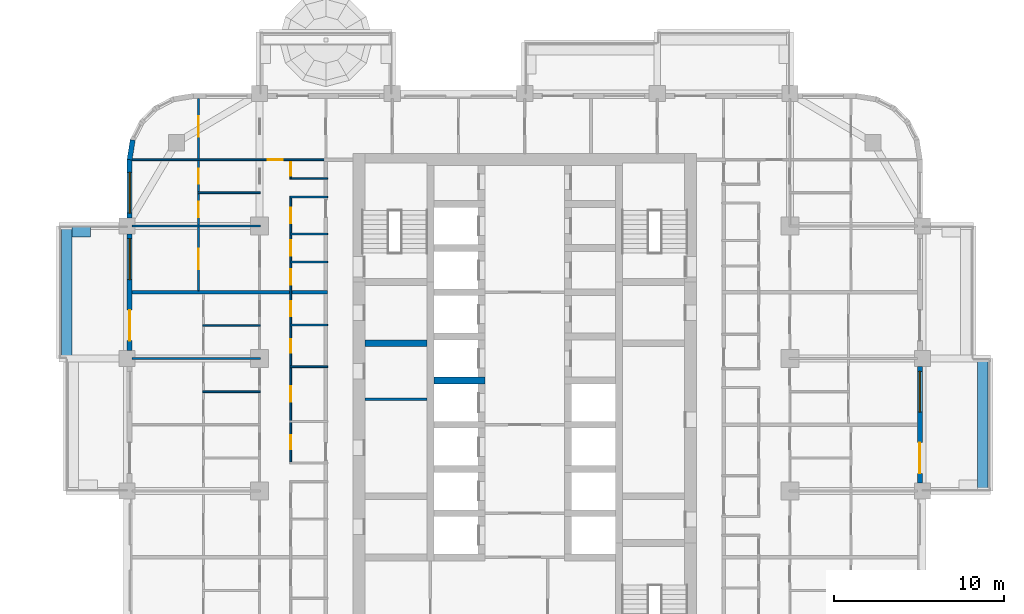
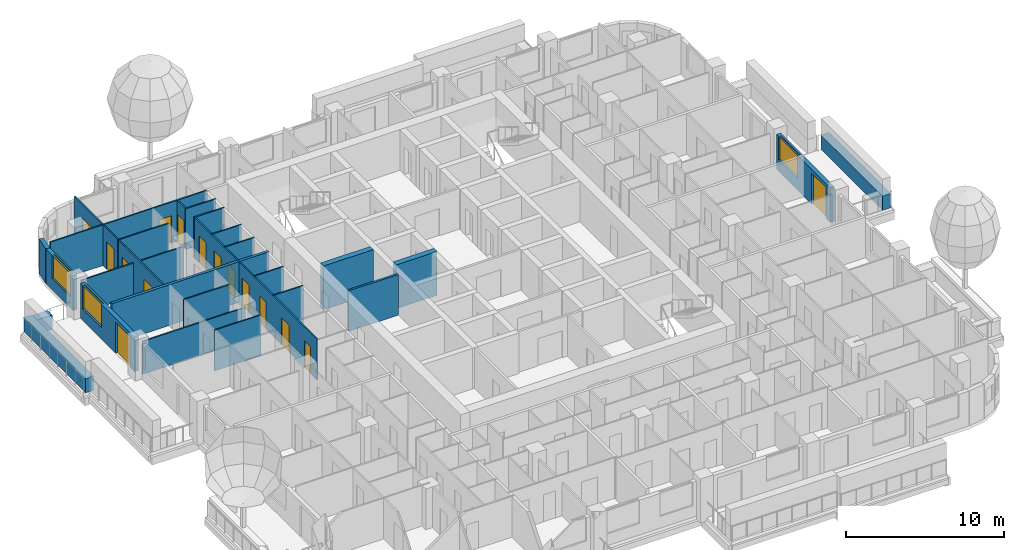
# One storey, part 10 of 19: 26 walls, 15 doors, 3 windows, 18 openings.
"""IFC4 building model written with IfcOpenShell, lengths in metres."""

from ifc_helpers import new_model, si_unit, direction, frame, frame_2d, origin, place, context, subcontext, project, spatial, rectangle, extrude, material, layer, layer_set, type_object, element, fill, save


model = new_model("IFC4")

# Units and contexts
model_context = context("Model", 3, precision=1e-05, world=origin(), true_north=direction((0.0, 1.0)))
body_context = subcontext(model_context, "Body", "Model", "MODEL_VIEW")
ifc_project = project(units=[si_unit("LENGTHUNIT", "METRE"), si_unit("AREAUNIT", "SQUARE_METRE"), si_unit("VOLUMEUNIT", "CUBIC_METRE"), si_unit("PLANEANGLEUNIT", "RADIAN"), si_unit("MASSUNIT", "GRAM", prefix="KILO")], contexts=[model_context])

# Site, building, storey
site_placement = place(None, origin())
site = spatial("IfcSite", under=ifc_project, at=site_placement, CompositionType="ELEMENT")
building_placement = place(site_placement, origin())
building = spatial("IfcBuilding", under=site, at=building_placement, Name="Ludao Terraces", CompositionType="ELEMENT")
storey_placement = place(building_placement, frame((0.0, 0.0, 81.800048828125)))
storey = spatial("IfcBuildingStorey", under=building, at=storey_placement, Name="L22", CompositionType="ELEMENT", Elevation=81.800048828125)

# Walls
ifc_material_1 = material(Name="Concrete C40", Category="concrete")
ifc_layer_1 = layer(ifc_material_1, 0.60009765625)
ifc_layer_set_1 = layer_set([ifc_layer_1], Name="ENV Planter trough 600")
wall_type_1 = type_object("IfcWallType", Name="ENV Planter trough 600", PredefinedType="USERDEFINED", material=ifc_layer_set_1)
for number, where, z_axis, x_axis, name in (
    (1, (111.949951171875, 65.0, 0.0), (0.0, 0.0, 1.0), (0.0, 1.0, 0.0), "PL-L22-E3"),
    (2, (58.050048828125, 72.800048828125, 0.0), (0.0, 0.0, 1.0), (0.0, 1.0, 0.0), "PL-L22-W4"),
):
    element("IfcWall", number, at=place(storey_placement, frame(where, z_axis=z_axis, x_axis=x_axis)), inside=storey, type_object=wall_type_1, Name=name, ObjectType="PLANTER", PredefinedType="USERDEFINED", context=body_context, shape_type="SweptSolid", body=[
        extrude(rectangle(XDim=7.800048828125, YDim=0.60009765625, at=frame_2d((3.89990234375, 0.0))), origin(), (0.0, 0.0, 1.0), 1.099853515625),
    ])
wall_1_placement = place(storey_placement, frame((58.35009765625, 80.25, 0.0), z_axis=(0.0, 0.0, 1.0), x_axis=(1.0, 0.0, 0.0)))
element("IfcWall", 3, at=wall_1_placement, inside=storey, type_object=wall_type_1, Name="PL-L22-W4-SB", ObjectType="PLANTER", PredefinedType="USERDEFINED", context=body_context, shape_type="SweptSolid", body=[
    extrude(rectangle(XDim=1.099853515625, YDim=0.60009765625, at=frame_2d((0.5498046875, 0.0))), origin(), (0.0, 0.0, 1.0), 1.099853515625),
])

# Wall, openings, door, window
ifc_material_2 = material(Name="Granite cladding", Category="masonry")
ifc_layer_2 = layer(ifc_material_2, 0.0400390625, Category="stone")
ifc_material_3 = material(Name="Mineral wool")
ifc_layer_3 = layer(ifc_material_3, 0.06005859375)
ifc_layer_4 = layer(ifc_material_1, 0.199951171875, Category="concrete")
ifc_layer_set_2 = layer_set([ifc_layer_2, ifc_layer_3, ifc_layer_4], Name="ENV Stone-clad wall 300")
wall_type_2 = type_object("IfcWallType", Name="ENV Stone-clad wall 300", PredefinedType="SOLIDWALL", material=ifc_layer_set_2)
wall_2_placement = place(storey_placement, frame((108.25, 65.47509765625, 0.0), z_axis=(0.0, 0.0, 1.0), x_axis=(0.0, 1.0, 0.0)))
wall_2 = element("IfcWall", 4, at=wall_2_placement, inside=storey, type_object=wall_type_2, Name="EW-L22-E4", PredefinedType="SOLIDWALL", context=body_context, shape_type="SweptSolid", body=[
    extrude(rectangle(XDim=6.849853515625, YDim=0.300048828125, at=frame_2d((3.4248046875, 0.0))), origin(), (0.0, 0.0, 1.0), 2.699951171875),
])
opening_1_placement = place(wall_2_placement, frame((0.574951171875, 0.0, 0.0)))
opening_1 = element("IfcOpeningElement", 5, at=opening_1_placement, cuts=wall_2, Name="Opening BD", PredefinedType="OPENING", context=body_context, shape_type="SweptSolid", body=[
    extrude(rectangle(XDim=1.800048828125, YDim=2.39990234375, at=frame_2d((0.89990234375, 1.199951171875))), frame((0.0, 0.16015625, 0.0), z_axis=(0.0, -1.0, 0.0), x_axis=(1.0, 0.0, 0.0)), (0.0, 0.0, 1.0), 0.320068359375),
])
opening_2_placement = place(wall_2_placement, frame((4.175048828125, 0.0, 0.89990234375)))
opening_2 = element("IfcOpeningElement", 6, at=opening_2_placement, cuts=wall_2, Name="Opening W1", PredefinedType="OPENING", context=body_context, shape_type="SweptSolid", body=[
    extrude(rectangle(XDim=2.39990234375, YDim=1.800048828125, at=frame_2d((1.199951171875, 0.89990234375))), frame((0.0, 0.16015625, 0.0), z_axis=(0.0, -1.0, 0.0), x_axis=(1.0, 0.0, 0.0)), (0.0, 0.0, 1.0), 0.320068359375),
])
ifc_material_4 = material(Name="Aluminium glazed door", Category="aluminium")
ifc_layer_5 = layer(ifc_material_4, 0.06005859375)
ifc_layer_set_3 = layer_set([ifc_layer_5], Name="ENV Balcony door BD 1800x2400")
door_type_1 = type_object("IfcDoorType", Name="ENV Balcony door BD 1800x2400", OperationType="DOUBLE_DOOR_SINGLE_SWING", PredefinedType="DOOR", material=ifc_layer_set_3)
door_1_placement = place(opening_1_placement, origin())
door_1 = element("IfcDoor", 7, at=door_1_placement, inside=storey, type_object=door_type_1, Name="BD-L22-E4-1", OperationType="DOUBLE_DOOR_SINGLE_SWING", OverallHeight=2.39990234375, OverallWidth=1.800048828125, PredefinedType="DOOR", context=body_context, shape_type="SweptSolid", body=[
    extrude(rectangle(XDim=1.800048828125, YDim=2.39990234375, at=frame_2d((0.89990234375, 1.199951171875))), frame((0.0, 0.02490234375, 0.0), z_axis=(0.0, -1.0, 0.0), x_axis=(1.0, 0.0, 0.0)), (0.0, 0.0, 1.0), 0.050048828125),
])
fill(opening_1, door_1)
ifc_material_5 = material(Name="Clear glass in aluminium frame", Category="aluminium")
ifc_layer_6 = layer(ifc_material_5, 0.06005859375)
ifc_layer_set_4 = layer_set([ifc_layer_6], Name="ENV Window W1 2400x1800")
window_type = type_object("IfcWindowType", Name="ENV Window W1 2400x1800", PartitioningType="DOUBLE_PANEL_VERTICAL", PredefinedType="WINDOW", material=ifc_layer_set_4)
window_1_placement = place(opening_2_placement, origin())
window_1 = element("IfcWindow", 8, at=window_1_placement, inside=storey, type_object=window_type, Name="W-L22-E4-2", OverallHeight=1.800048828125, OverallWidth=2.39990234375, PartitioningType="DOUBLE_PANEL_VERTICAL", PredefinedType="WINDOW", context=body_context, shape_type="SweptSolid", body=[
    extrude(rectangle(XDim=2.39990234375, YDim=1.800048828125, at=frame_2d((1.199951171875, 0.89990234375))), frame((0.0, 0.030029296875, 0.0), z_axis=(0.0, -1.0, 0.0), x_axis=(1.0, 0.0, 0.0)), (0.0, 0.0, 1.0), 0.06005859375),
])
fill(opening_2, window_1)

wall_3_placement = place(storey_placement, frame((61.75, 73.27490234375, 0.0), z_axis=(0.0, 0.0, 1.0), x_axis=(0.0, 1.0, 0.0)))
wall_3 = element("IfcWall", 9, at=wall_3_placement, inside=storey, type_object=wall_type_2, Name="EW-L22-W5", PredefinedType="SOLIDWALL", context=body_context, shape_type="SweptSolid", body=[
    extrude(rectangle(XDim=6.85009765625, YDim=0.300048828125, at=frame_2d((3.425048828125, 0.0))), origin(), (0.0, 0.0, 1.0), 2.699951171875),
])
opening_3_placement = place(wall_3_placement, frame((0.574951171875, 0.0, 0.0)))
opening_3 = element("IfcOpeningElement", 10, at=opening_3_placement, cuts=wall_3, Name="Opening BD", PredefinedType="OPENING", context=body_context, shape_type="SweptSolid", body=[
    extrude(rectangle(XDim=1.800048828125, YDim=2.39990234375, at=frame_2d((0.89990234375, 1.199951171875))), frame((0.0, 0.16015625, 0.0), z_axis=(0.0, -1.0, 0.0), x_axis=(1.0, 0.0, 0.0)), (0.0, 0.0, 1.0), 0.320068359375),
])
opening_4_placement = place(wall_3_placement, frame((4.175048828125, 0.0, 0.89990234375)))
opening_4 = element("IfcOpeningElement", 11, at=opening_4_placement, cuts=wall_3, Name="Opening W1", PredefinedType="OPENING", context=body_context, shape_type="SweptSolid", body=[
    extrude(rectangle(XDim=2.39990234375, YDim=1.800048828125, at=frame_2d((1.199951171875, 0.89990234375))), frame((0.0, 0.16015625, 0.0), z_axis=(0.0, -1.0, 0.0), x_axis=(1.0, 0.0, 0.0)), (0.0, 0.0, 1.0), 0.320068359375),
])
door_2_placement = place(opening_3_placement, origin())
door_2 = element("IfcDoor", 12, at=door_2_placement, inside=storey, type_object=door_type_1, Name="BD-L22-W5-1", OperationType="DOUBLE_DOOR_SINGLE_SWING", OverallHeight=2.39990234375, OverallWidth=1.800048828125, PredefinedType="DOOR", context=body_context, shape_type="SweptSolid", body=[
    extrude(rectangle(XDim=1.800048828125, YDim=2.39990234375, at=frame_2d((0.89990234375, 1.199951171875))), frame((0.0, 0.02490234375, 0.0), z_axis=(0.0, -1.0, 0.0), x_axis=(1.0, 0.0, 0.0)), (0.0, 0.0, 1.0), 0.050048828125),
])
fill(opening_3, door_2)
window_2_placement = place(opening_4_placement, origin())
window_2 = element("IfcWindow", 13, at=window_2_placement, inside=storey, type_object=window_type, Name="W-L22-W5-2", OverallHeight=1.800048828125, OverallWidth=2.39990234375, PartitioningType="DOUBLE_PANEL_VERTICAL", PredefinedType="WINDOW", context=body_context, shape_type="SweptSolid", body=[
    extrude(rectangle(XDim=2.39990234375, YDim=1.800048828125, at=frame_2d((1.199951171875, 0.89990234375))), frame((0.0, 0.030029296875, 0.0), z_axis=(0.0, -1.0, 0.0), x_axis=(1.0, 0.0, 0.0)), (0.0, 0.0, 1.0), 0.06005859375),
])
fill(opening_4, window_2)

# Wall, opening, window
wall_4_placement = place(storey_placement, frame((61.75, 81.074951171875, 0.0), z_axis=(0.0, 0.0, 1.0), x_axis=(0.0, 1.0, 0.0)))
wall_4 = element("IfcWall", 14, at=wall_4_placement, inside=storey, type_object=wall_type_2, Name="EW-L22-W6", PredefinedType="SOLIDWALL", context=body_context, shape_type="SweptSolid", body=[
    extrude(rectangle(XDim=3.425048828125, YDim=0.300048828125, at=frame_2d((1.71240234375, 0.0))), origin(), (0.0, 0.0, 1.0), 2.699951171875),
])
opening_5_placement = place(wall_4_placement, frame((0.27490234375, 0.0, 0.89990234375)))
opening_5 = element("IfcOpeningElement", 15, at=opening_5_placement, cuts=wall_4, Name="Opening W1", PredefinedType="OPENING", context=body_context, shape_type="SweptSolid", body=[
    extrude(rectangle(XDim=2.39990234375, YDim=1.800048828125, at=frame_2d((1.199951171875, 0.89990234375))), frame((0.0, 0.16015625, 0.0), z_axis=(0.0, -1.0, 0.0), x_axis=(1.0, 0.0, 0.0)), (0.0, 0.0, 1.0), 0.320068359375),
])
window_3_placement = place(opening_5_placement, origin())
window_3 = element("IfcWindow", 16, at=window_3_placement, inside=storey, type_object=window_type, Name="W-L22-W6-1", OverallHeight=1.800048828125, OverallWidth=2.39990234375, PartitioningType="DOUBLE_PANEL_VERTICAL", PredefinedType="WINDOW", context=body_context, shape_type="SweptSolid", body=[
    extrude(rectangle(XDim=2.39990234375, YDim=1.800048828125, at=frame_2d((1.199951171875, 0.89990234375))), frame((0.0, 0.030029296875, 0.0), z_axis=(0.0, -1.0, 0.0), x_axis=(1.0, 0.0, 0.0)), (0.0, 0.0, 1.0), 0.06005859375),
])
fill(opening_5, window_3)

# Walls
wall_5_placement = place(storey_placement, frame((61.93359375, 85.65869140625, 0.0), z_axis=(0.0, 0.0, 1.0), x_axis=(-0.156496880861, -0.987678452879, 0.0)))
element("IfcWall", 17, at=wall_5_placement, inside=storey, type_object=wall_type_2, Name="EW-L22-NW5", PredefinedType="SOLIDWALL", context=body_context, shape_type="SweptSolid", body=[
    extrude(rectangle(XDim=1.173095703125, YDim=0.300048828125, at=frame_2d((0.58642578125, 0.0))), origin(), (0.0, 0.0, 1.0), 2.699951171875),
])
ifc_material_6 = material(Name="Fire-rated gypsum plasterboard", Category="gypsum")
ifc_layer_7 = layer(ifc_material_6, 0.012451171875, Category="gypsum")
ifc_layer_8 = layer(ifc_material_3, 0.10009765625, Name="insulation")
ifc_material_7 = material(Name="Steel Q235", Category="steel")
ifc_layer_9 = layer(ifc_material_7, 0.02490234375, Name="stud")
ifc_layer_10 = layer(ifc_material_6, 0.012451171875, Category="gypsum")
ifc_layer_set_5 = layer_set([ifc_layer_7, ifc_layer_8, ifc_layer_9, ifc_layer_10], Name="INT Core partition 150")
wall_type_3 = type_object("IfcWallType", Name="INT Core partition 150", PredefinedType="PARTITIONING", material=ifc_layer_set_5)
wall_6_placement = place(storey_placement, frame((75.60009765625, 70.39990234375, 0.0), z_axis=(0.0, 0.0, 1.0), x_axis=(1.0, 0.0, 0.0)))
element("IfcWall", 18, at=wall_6_placement, inside=storey, type_object=wall_type_3, Name="PW-L22-PW051", PredefinedType="PARTITIONING", context=body_context, shape_type="SweptSolid", body=[
    extrude(rectangle(XDim=3.64990234375, YDim=0.14990234375, at=frame_2d((1.824951171875, 0.0))), origin(), (0.0, 0.0, 1.0), 3.14990234375),
])
ifc_material_8 = material(Name="Gypsum plasterboard", Category="gypsum")
ifc_layer_11 = layer(ifc_material_8, 0.012451171875, Category="gypsum")
ifc_layer_12 = layer(ifc_material_3, 0.06005859375, Name="insulation")
ifc_layer_13 = layer(ifc_material_7, 0.014892578125, Name="stud")
ifc_layer_14 = layer(ifc_material_8, 0.012451171875, Category="gypsum")
ifc_layer_set_6 = layer_set([ifc_layer_11, ifc_layer_12, ifc_layer_13, ifc_layer_14], Name="INT Partition 100")
wall_type_4 = type_object("IfcWallType", Name="INT Partition 100", PredefinedType="PARTITIONING", material=ifc_layer_set_6)
wall_7_placement = place(storey_placement, frame((66.050048828125, 70.85009765625, 0.0), z_axis=(0.0, 0.0, 1.0), x_axis=(1.0, 0.0, 0.0)))
element("IfcWall", 19, at=wall_7_placement, inside=storey, type_object=wall_type_4, Name="PW-L22-PW052", PredefinedType="PARTITIONING", context=body_context, shape_type="SweptSolid", body=[
    extrude(rectangle(XDim=3.400146484375, YDim=0.10009765625, at=frame_2d((1.7001953125, 0.0))), origin(), (0.0, 0.0, 1.0), 3.14990234375),
])
wall_8_placement = place(storey_placement, frame((71.18017578125, 72.320068359375, 0.0), z_axis=(0.0, 0.0, 1.0), x_axis=(1.0, 0.0, 0.0)))
element("IfcWall", 20, at=wall_8_placement, inside=storey, type_object=wall_type_4, Name="PW-L22-PW056", PredefinedType="PARTITIONING", context=body_context, shape_type="SweptSolid", body=[
    extrude(rectangle(XDim=2.219970703125, YDim=0.10009765625, at=frame_2d((1.10986328125, 0.0))), origin(), (0.0, 0.0, 1.0), 3.14990234375),
])
wall_9_placement = place(storey_placement, frame((61.900146484375, 72.800048828125, 0.0), z_axis=(0.0, 0.0, 1.0), x_axis=(1.0, 0.0, 0.0)))
element("IfcWall", 21, at=wall_9_placement, inside=storey, type_object=wall_type_4, Name="PW-L22-PW057", PredefinedType="PARTITIONING", context=body_context, shape_type="SweptSolid", body=[
    extrude(rectangle(XDim=7.550048828125, YDim=0.10009765625, at=frame_2d((3.77490234375, 0.0))), origin(), (0.0, 0.0, 1.0), 2.5498046875),
])
wall_10_placement = place(storey_placement, frame((66.050048828125, 74.75, 0.0), z_axis=(0.0, 0.0, 1.0), x_axis=(1.0, 0.0, 0.0)))
element("IfcWall", 22, at=wall_10_placement, inside=storey, type_object=wall_type_4, Name="PW-L22-PW060", PredefinedType="PARTITIONING", context=body_context, shape_type="SweptSolid", body=[
    extrude(rectangle(XDim=3.400146484375, YDim=0.10009765625, at=frame_2d((1.7001953125, 0.0))), origin(), (0.0, 0.0, 1.0), 3.14990234375),
])
for number, where, z_axis, x_axis, name in (
    (23, (71.18017578125, 74.77001953125, 0.0), (0.0, 0.0, 1.0), (1.0, 0.0, 0.0), "PW-L22-PW061"),
    (24, (71.18017578125, 78.47998046875, 0.0), (0.0, 0.0, 1.0), (1.0, 0.0, 0.0), "PW-L22-PW066"),
    (25, (71.18017578125, 80.1298828125, 0.0), (0.0, 0.0, 1.0), (1.0, 0.0, 0.0), "PW-L22-PW068"),
):
    element("IfcWall", number, at=place(storey_placement, frame(where, z_axis=z_axis, x_axis=x_axis)), inside=storey, type_object=wall_type_4, Name=name, PredefinedType="PARTITIONING", context=body_context, shape_type="SweptSolid", body=[
        extrude(rectangle(XDim=2.219970703125, YDim=0.10009765625, at=frame_2d((1.10986328125, 0.0))), origin(), (0.0, 0.0, 1.0), 3.14990234375),
    ])
wall_11_placement = place(storey_placement, frame((61.900146484375, 80.60009765625, 0.0), z_axis=(0.0, 0.0, 1.0), x_axis=(1.0, 0.0, 0.0)))
element("IfcWall", 26, at=wall_11_placement, inside=storey, type_object=wall_type_4, Name="PW-L22-PW069", PredefinedType="PARTITIONING", context=body_context, shape_type="SweptSolid", body=[
    extrude(rectangle(XDim=7.550048828125, YDim=0.10009765625, at=frame_2d((3.77490234375, 0.0))), origin(), (0.0, 0.0, 1.0), 2.5498046875),
])
wall_12_placement = place(storey_placement, frame((71.18017578125, 82.300048828125, 0.0), z_axis=(0.0, 0.0, 1.0), x_axis=(1.0, 0.0, 0.0)))
element("IfcWall", 27, at=wall_12_placement, inside=storey, type_object=wall_type_4, Name="PW-L22-PW072", PredefinedType="PARTITIONING", context=body_context, shape_type="SweptSolid", body=[
    extrude(rectangle(XDim=2.219970703125, YDim=0.10009765625, at=frame_2d((1.10986328125, 0.0))), origin(), (0.0, 0.0, 1.0), 3.14990234375),
])
wall_13_placement = place(storey_placement, frame((65.75, 82.550048828125, 0.0), z_axis=(0.0, 0.0, 1.0), x_axis=(1.0, 0.0, 0.0)))
element("IfcWall", 28, at=wall_13_placement, inside=storey, type_object=wall_type_4, Name="PW-L22-PW073", PredefinedType="PARTITIONING", context=body_context, shape_type="SweptSolid", body=[
    extrude(rectangle(XDim=3.7001953125, YDim=0.10009765625, at=frame_2d((1.85009765625, 0.0))), origin(), (0.0, 0.0, 1.0), 3.14990234375),
])
wall_14_placement = place(storey_placement, frame((71.18017578125, 83.39990234375, 0.0), z_axis=(0.0, 0.0, 1.0), x_axis=(1.0, 0.0, 0.0)))
element("IfcWall", 29, at=wall_14_placement, inside=storey, type_object=wall_type_4, Name="PW-L22-PW076", PredefinedType="PARTITIONING", context=body_context, shape_type="SweptSolid", body=[
    extrude(rectangle(XDim=2.219970703125, YDim=0.10009765625, at=frame_2d((1.10986328125, 0.0))), origin(), (0.0, 0.0, 1.0), 3.14990234375),
])

# Wall, opening, door
wall_15_placement = place(storey_placement, frame((61.900146484375, 84.5, 0.0), z_axis=(0.0, 0.0, 1.0), x_axis=(1.0, 0.0, 0.0)))
wall_15 = element("IfcWall", 30, at=wall_15_placement, inside=storey, type_object=wall_type_4, Name="PW-L22-PW077", PredefinedType="PARTITIONING", context=body_context, shape_type="SweptSolid", body=[
    extrude(rectangle(XDim=11.5, YDim=0.10009765625, at=frame_2d((5.75, 0.0))), origin(), (0.0, 0.0, 1.0), 3.14990234375),
])
opening_6_placement = place(wall_15_placement, frame((7.965087890625, 0.0, 0.0)))
opening_6 = element("IfcOpeningElement", 31, at=opening_6_placement, cuts=wall_15, Name="Opening R06-155", PredefinedType="OPENING", context=body_context, shape_type="SweptSolid", body=[
    extrude(rectangle(XDim=0.89990234375, YDim=2.10009765625, at=frame_2d((0.449951171875, 1.050048828125))), frame((0.0, 0.06005859375, 0.0), z_axis=(0.0, -1.0, 0.0), x_axis=(1.0, 0.0, 0.0)), (0.0, 0.0, 1.0), 0.1201171875),
])
ifc_material_9 = material(Name="Timber door leaf", Category="wood")
door_type_2 = type_object("IfcDoorType", Name="INT Room door 900", OperationType="SINGLE_SWING_LEFT", PredefinedType="DOOR", material=ifc_material_9)
door_3_placement = place(opening_6_placement, origin())
door_3 = element("IfcDoor", 32, at=door_3_placement, inside=storey, type_object=door_type_2, Name="DOOR 155", OperationType="SINGLE_SWING_RIGHT", OverallHeight=2.10009765625, OverallWidth=0.89990234375, PredefinedType="DOOR", context=body_context, shape_type="SweptSolid", body=[
    extrude(rectangle(XDim=0.89990234375, YDim=2.10009765625, at=frame_2d((0.449951171875, 1.050048828125))), frame((0.0, 0.02490234375, 0.0), z_axis=(0.0, -1.0, 0.0), x_axis=(1.0, 0.0, 0.0)), (0.0, 0.0, 1.0), 0.050048828125),
])
fill(opening_6, door_3)

# Wall, openings, doors
wall_16_placement = place(storey_placement, frame((65.800048828125, 76.800048828125, 0.0), z_axis=(0.0, 0.0, 1.0), x_axis=(0.0, 1.0, 0.0)))
wall_16 = element("IfcWall", 33, at=wall_16_placement, inside=storey, type_object=wall_type_4, Name="PW-L22-PW081", PredefinedType="PARTITIONING", context=body_context, shape_type="SweptSolid", body=[
    extrude(rectangle(XDim=11.300048828125, YDim=0.10009765625, at=frame_2d((5.64990234375, 0.0))), origin(), (0.0, 0.0, 1.0), 3.14990234375),
])
opening_7_placement = place(wall_16_placement, frame((1.25, 0.0, 0.0)))
opening_7 = element("IfcOpeningElement", 34, at=opening_7_placement, cuts=wall_16, Name="Opening R06-133", PredefinedType="OPENING", context=body_context, shape_type="SweptSolid", body=[
    extrude(rectangle(XDim=1.199951171875, YDim=2.10009765625, at=frame_2d((0.60009765625, 1.050048828125))), frame((0.0, 0.06005859375, 0.0), z_axis=(0.0, -1.0, 0.0), x_axis=(1.0, 0.0, 0.0)), (0.0, 0.0, 1.0), 0.1201171875),
])
opening_8_placement = place(wall_16_placement, frame((4.324951171875, 0.0, 0.0)))
opening_8 = element("IfcOpeningElement", 35, at=opening_8_placement, cuts=wall_16, Name="Opening R06-143", PredefinedType="OPENING", context=body_context, shape_type="SweptSolid", body=[
    extrude(rectangle(XDim=0.89990234375, YDim=2.10009765625, at=frame_2d((0.449951171875, 1.050048828125))), frame((0.0, 0.06005859375, 0.0), z_axis=(0.0, -1.0, 0.0), x_axis=(1.0, 0.0, 0.0)), (0.0, 0.0, 1.0), 0.1201171875),
])
opening_9_placement = place(wall_16_placement, frame((6.27490234375, 0.0, 0.0)))
opening_9 = element("IfcOpeningElement", 36, at=opening_9_placement, cuts=wall_16, Name="Opening R06-148", PredefinedType="OPENING", context=body_context, shape_type="SweptSolid", body=[
    extrude(rectangle(XDim=0.89990234375, YDim=2.10009765625, at=frame_2d((0.449951171875, 1.050048828125))), frame((0.0, 0.06005859375, 0.0), z_axis=(0.0, -1.0, 0.0), x_axis=(1.0, 0.0, 0.0)), (0.0, 0.0, 1.0), 0.1201171875),
])
opening_10_placement = place(wall_16_placement, frame((9.050048828125, 0.0, 0.0)))
opening_10 = element("IfcOpeningElement", 37, at=opening_10_placement, cuts=wall_16, Name="Opening R06-157", PredefinedType="OPENING", context=body_context, shape_type="SweptSolid", body=[
    extrude(rectangle(XDim=1.199951171875, YDim=2.10009765625, at=frame_2d((0.60009765625, 1.050048828125))), frame((0.0, 0.06005859375, 0.0), z_axis=(0.0, -1.0, 0.0), x_axis=(1.0, 0.0, 0.0)), (0.0, 0.0, 1.0), 0.1201171875),
])
door_type_3 = type_object("IfcDoorType", Name="INT Bathroom door 900", OperationType="SINGLE_SWING_LEFT", PredefinedType="DOOR", material=ifc_material_9)
door_4_placement = place(opening_8_placement, origin())
door_4 = element("IfcDoor", 38, at=door_4_placement, inside=storey, type_object=door_type_3, Name="DOOR 143", OperationType="SINGLE_SWING_RIGHT", OverallHeight=2.10009765625, OverallWidth=0.89990234375, PredefinedType="DOOR", context=body_context, shape_type="SweptSolid", body=[
    extrude(rectangle(XDim=0.89990234375, YDim=2.10009765625, at=frame_2d((0.449951171875, 1.050048828125))), frame((0.0, 0.02490234375, 0.0), z_axis=(0.0, -1.0, 0.0), x_axis=(1.0, 0.0, 0.0)), (0.0, 0.0, 1.0), 0.050048828125),
])
fill(opening_8, door_4)
door_type_4 = type_object("IfcDoorType", Name="INT Double door 1200", OperationType="DOUBLE_DOOR_SINGLE_SWING", PredefinedType="DOOR", material=ifc_material_9)
door_5_placement = place(opening_7_placement, origin())
door_5 = element("IfcDoor", 39, at=door_5_placement, inside=storey, type_object=door_type_4, Name="DOOR 133", OperationType="DOUBLE_DOOR_SINGLE_SWING", OverallHeight=2.10009765625, OverallWidth=1.199951171875, PredefinedType="DOOR", context=body_context, shape_type="SweptSolid", body=[
    extrude(rectangle(XDim=1.199951171875, YDim=2.10009765625, at=frame_2d((0.60009765625, 1.050048828125))), frame((0.0, 0.02490234375, 0.0), z_axis=(0.0, -1.0, 0.0), x_axis=(1.0, 0.0, 0.0)), (0.0, 0.0, 1.0), 0.050048828125),
])
fill(opening_7, door_5)
door_6_placement = place(opening_10_placement, origin())
door_6 = element("IfcDoor", 40, at=door_6_placement, inside=storey, type_object=door_type_4, Name="DOOR 157", OperationType="DOUBLE_DOOR_SINGLE_SWING", OverallHeight=2.10009765625, OverallWidth=1.199951171875, PredefinedType="DOOR", context=body_context, shape_type="SweptSolid", body=[
    extrude(rectangle(XDim=1.199951171875, YDim=2.10009765625, at=frame_2d((0.60009765625, 1.050048828125))), frame((0.0, 0.02490234375, 0.0), z_axis=(0.0, -1.0, 0.0), x_axis=(1.0, 0.0, 0.0)), (0.0, 0.0, 1.0), 0.050048828125),
])
fill(opening_10, door_6)
door_7_placement = place(opening_9_placement, origin())
door_7 = element("IfcDoor", 41, at=door_7_placement, inside=storey, type_object=door_type_2, Name="DOOR 148", OperationType="SINGLE_SWING_RIGHT", OverallHeight=2.10009765625, OverallWidth=0.89990234375, PredefinedType="DOOR", context=body_context, shape_type="SweptSolid", body=[
    extrude(rectangle(XDim=0.89990234375, YDim=2.10009765625, at=frame_2d((0.449951171875, 1.050048828125))), frame((0.0, 0.02490234375, 0.0), z_axis=(0.0, -1.0, 0.0), x_axis=(1.0, 0.0, 0.0)), (0.0, 0.0, 1.0), 0.050048828125),
])
fill(opening_9, door_7)

wall_17_placement = place(storey_placement, frame((71.22998046875, 66.7001953125, 0.0), z_axis=(0.0, 0.0, 1.0), x_axis=(0.0, 1.0, 0.0)))
wall_17 = element("IfcWall", 42, at=wall_17_placement, inside=storey, type_object=wall_type_4, Name="PW-L22-PW086", PredefinedType="PARTITIONING", context=body_context, shape_type="SweptSolid", body=[
    extrude(rectangle(XDim=15.5498046875, YDim=0.10009765625, at=frame_2d((7.77490234375, 0.0))), origin(), (0.0, 0.0, 1.0), 3.14990234375),
])
opening_11_placement = place(wall_17_placement, frame((0.77490234375, 0.0, 0.0)))
opening_11 = element("IfcOpeningElement", 43, at=opening_11_placement, cuts=wall_17, Name="Opening R06-093", PredefinedType="OPENING", context=body_context, shape_type="SweptSolid", body=[
    extrude(rectangle(XDim=0.800048828125, YDim=2.10009765625, at=frame_2d((0.39990234375, 1.050048828125))), frame((0.0, 0.06005859375, 0.0), z_axis=(0.0, -1.0, 0.0), x_axis=(1.0, 0.0, 0.0)), (0.0, 0.0, 1.0), 0.1201171875),
])
opening_12_placement = place(wall_17_placement, frame((3.559814453125, 0.0, 0.0)))
opening_12 = element("IfcOpeningElement", 44, at=opening_12_placement, cuts=wall_17, Name="Opening R06-104", PredefinedType="OPENING", context=body_context, shape_type="SweptSolid", body=[
    extrude(rectangle(XDim=0.89990234375, YDim=2.10009765625, at=frame_2d((0.449951171875, 1.050048828125))), frame((0.0, 0.06005859375, 0.0), z_axis=(0.0, -1.0, 0.0), x_axis=(1.0, 0.0, 0.0)), (0.0, 0.0, 1.0), 0.1201171875),
])
opening_13_placement = place(wall_17_placement, frame((6.44482421875, 0.0, 0.0)))
opening_13 = element("IfcOpeningElement", 45, at=opening_13_placement, cuts=wall_17, Name="Opening R06-114", PredefinedType="OPENING", context=body_context, shape_type="SweptSolid", body=[
    extrude(rectangle(XDim=0.800048828125, YDim=2.10009765625, at=frame_2d((0.39990234375, 1.050048828125))), frame((0.0, 0.06005859375, 0.0), z_axis=(0.0, -1.0, 0.0), x_axis=(1.0, 0.0, 0.0)), (0.0, 0.0, 1.0), 0.1201171875),
])
opening_14_placement = place(wall_17_placement, frame((8.5849609375, 0.0, 0.0)))
opening_14 = element("IfcOpeningElement", 46, at=opening_14_placement, cuts=wall_17, Name="Opening R06-125", PredefinedType="OPENING", context=body_context, shape_type="SweptSolid", body=[
    extrude(rectangle(XDim=0.89990234375, YDim=2.10009765625, at=frame_2d((0.449951171875, 1.050048828125))), frame((0.0, 0.06005859375, 0.0), z_axis=(0.0, -1.0, 0.0), x_axis=(1.0, 0.0, 0.0)), (0.0, 0.0, 1.0), 0.1201171875),
])
opening_15_placement = place(wall_17_placement, frame((10.43994140625, 0.0, 0.0)))
opening_15 = element("IfcOpeningElement", 47, at=opening_15_placement, cuts=wall_17, Name="Opening R06-128", PredefinedType="OPENING", context=body_context, shape_type="SweptSolid", body=[
    extrude(rectangle(XDim=0.89990234375, YDim=2.10009765625, at=frame_2d((0.449951171875, 1.050048828125))), frame((0.0, 0.06005859375, 0.0), z_axis=(0.0, -1.0, 0.0), x_axis=(1.0, 0.0, 0.0)), (0.0, 0.0, 1.0), 0.1201171875),
])
opening_16_placement = place(wall_17_placement, frame((12.15478515625, 0.0, 0.0)))
opening_16 = element("IfcOpeningElement", 48, at=opening_16_placement, cuts=wall_17, Name="Opening R06-138", PredefinedType="OPENING", context=body_context, shape_type="SweptSolid", body=[
    extrude(rectangle(XDim=0.89990234375, YDim=2.10009765625, at=frame_2d((0.449951171875, 1.050048828125))), frame((0.0, 0.06005859375, 0.0), z_axis=(0.0, -1.0, 0.0), x_axis=(1.0, 0.0, 0.0)), (0.0, 0.0, 1.0), 0.1201171875),
])
opening_17_placement = place(wall_17_placement, frame((14.06494140625, 0.0, 0.0)))
opening_17 = element("IfcOpeningElement", 49, at=opening_17_placement, cuts=wall_17, Name="Opening R06-142", PredefinedType="OPENING", context=body_context, shape_type="SweptSolid", body=[
    extrude(rectangle(XDim=0.89990234375, YDim=2.10009765625, at=frame_2d((0.449951171875, 1.050048828125))), frame((0.0, 0.06005859375, 0.0), z_axis=(0.0, -1.0, 0.0), x_axis=(1.0, 0.0, 0.0)), (0.0, 0.0, 1.0), 0.1201171875),
])
door_8_placement = place(opening_14_placement, origin())
door_8 = element("IfcDoor", 50, at=door_8_placement, inside=storey, type_object=door_type_3, Name="DOOR 125", OperationType="SINGLE_SWING_LEFT", OverallHeight=2.10009765625, OverallWidth=0.89990234375, PredefinedType="DOOR", context=body_context, shape_type="SweptSolid", body=[
    extrude(rectangle(XDim=0.89990234375, YDim=2.10009765625, at=frame_2d((0.449951171875, 1.050048828125))), frame((0.0, 0.02490234375, 0.0), z_axis=(0.0, -1.0, 0.0), x_axis=(1.0, 0.0, 0.0)), (0.0, 0.0, 1.0), 0.050048828125),
])
fill(opening_14, door_8)
door_9_placement = place(opening_15_placement, origin())
door_9 = element("IfcDoor", 51, at=door_9_placement, inside=storey, type_object=door_type_3, Name="DOOR 128", OperationType="SINGLE_SWING_RIGHT", OverallHeight=2.10009765625, OverallWidth=0.89990234375, PredefinedType="DOOR", context=body_context, shape_type="SweptSolid", body=[
    extrude(rectangle(XDim=0.89990234375, YDim=2.10009765625, at=frame_2d((0.449951171875, 1.050048828125))), frame((0.0, 0.02490234375, 0.0), z_axis=(0.0, -1.0, 0.0), x_axis=(1.0, 0.0, 0.0)), (0.0, 0.0, 1.0), 0.050048828125),
])
fill(opening_15, door_9)
door_10_placement = place(opening_16_placement, origin())
door_10 = element("IfcDoor", 52, at=door_10_placement, inside=storey, type_object=door_type_3, Name="DOOR 138", OperationType="SINGLE_SWING_RIGHT", OverallHeight=2.10009765625, OverallWidth=0.89990234375, PredefinedType="DOOR", context=body_context, shape_type="SweptSolid", body=[
    extrude(rectangle(XDim=0.89990234375, YDim=2.10009765625, at=frame_2d((0.449951171875, 1.050048828125))), frame((0.0, 0.02490234375, 0.0), z_axis=(0.0, -1.0, 0.0), x_axis=(1.0, 0.0, 0.0)), (0.0, 0.0, 1.0), 0.050048828125),
])
fill(opening_16, door_10)
door_11_placement = place(opening_12_placement, origin())
door_11 = element("IfcDoor", 53, at=door_11_placement, inside=storey, type_object=door_type_2, Name="DOOR 104", OperationType="SINGLE_SWING_RIGHT", OverallHeight=2.10009765625, OverallWidth=0.89990234375, PredefinedType="DOOR", context=body_context, shape_type="SweptSolid", body=[
    extrude(rectangle(XDim=0.89990234375, YDim=2.10009765625, at=frame_2d((0.449951171875, 1.050048828125))), frame((0.0, 0.02490234375, 0.0), z_axis=(0.0, -1.0, 0.0), x_axis=(1.0, 0.0, 0.0)), (0.0, 0.0, 1.0), 0.050048828125),
])
fill(opening_12, door_11)
door_12_placement = place(opening_17_placement, origin())
door_12 = element("IfcDoor", 54, at=door_12_placement, inside=storey, type_object=door_type_2, Name="DOOR 142", OperationType="SINGLE_SWING_LEFT", OverallHeight=2.10009765625, OverallWidth=0.89990234375, PredefinedType="DOOR", context=body_context, shape_type="SweptSolid", body=[
    extrude(rectangle(XDim=0.89990234375, YDim=2.10009765625, at=frame_2d((0.449951171875, 1.050048828125))), frame((0.0, 0.02490234375, 0.0), z_axis=(0.0, -1.0, 0.0), x_axis=(1.0, 0.0, 0.0)), (0.0, 0.0, 1.0), 0.050048828125),
])
fill(opening_17, door_12)
door_type_5 = type_object("IfcDoorType", Name="INT Store door 800", OperationType="SINGLE_SWING_LEFT", PredefinedType="DOOR", material=ifc_material_9)
door_13_placement = place(opening_11_placement, origin())
door_13 = element("IfcDoor", 55, at=door_13_placement, inside=storey, type_object=door_type_5, Name="DOOR 093", OperationType="SINGLE_SWING_RIGHT", OverallHeight=2.10009765625, OverallWidth=0.800048828125, PredefinedType="DOOR", context=body_context, shape_type="SweptSolid", body=[
    extrude(rectangle(XDim=0.800048828125, YDim=2.10009765625, at=frame_2d((0.39990234375, 1.050048828125))), frame((0.0, 0.02490234375, 0.0), z_axis=(0.0, -1.0, 0.0), x_axis=(1.0, 0.0, 0.0)), (0.0, 0.0, 1.0), 0.050048828125),
])
fill(opening_11, door_13)
door_14_placement = place(opening_13_placement, origin())
door_14 = element("IfcDoor", 56, at=door_14_placement, inside=storey, type_object=door_type_5, Name="DOOR 114", OperationType="SINGLE_SWING_RIGHT", OverallHeight=2.10009765625, OverallWidth=0.800048828125, PredefinedType="DOOR", context=body_context, shape_type="SweptSolid", body=[
    extrude(rectangle(XDim=0.800048828125, YDim=2.10009765625, at=frame_2d((0.39990234375, 1.050048828125))), frame((0.0, 0.02490234375, 0.0), z_axis=(0.0, -1.0, 0.0), x_axis=(1.0, 0.0, 0.0)), (0.0, 0.0, 1.0), 0.050048828125),
])
fill(opening_13, door_14)

# Wall, opening, door
wall_18_placement = place(storey_placement, frame((71.22998046875, 83.4501953125, 0.0), z_axis=(0.0, 0.0, 1.0), x_axis=(0.0, 1.0, 0.0)))
wall_18 = element("IfcWall", 57, at=wall_18_placement, inside=storey, type_object=wall_type_4, Name="PW-L22-PW087", PredefinedType="PARTITIONING", context=body_context, shape_type="SweptSolid", body=[
    extrude(rectangle(XDim=1.0, YDim=0.10009765625, at=frame_2d((0.5, 0.0))), origin(), (0.0, 0.0, 1.0), 3.14990234375),
])
opening_18_placement = place(wall_18_placement, frame((0.10009765625, 0.0, 0.0)))
opening_18 = element("IfcOpeningElement", 58, at=opening_18_placement, cuts=wall_18, Name="Opening R06-154", PredefinedType="OPENING", context=body_context, shape_type="SweptSolid", body=[
    extrude(rectangle(XDim=0.800048828125, YDim=2.10009765625, at=frame_2d((0.39990234375, 1.050048828125))), frame((0.0, 0.06005859375, 0.0), z_axis=(0.0, -1.0, 0.0), x_axis=(1.0, 0.0, 0.0)), (0.0, 0.0, 1.0), 0.1201171875),
])
door_15_placement = place(opening_18_placement, origin())
door_15 = element("IfcDoor", 59, at=door_15_placement, inside=storey, type_object=door_type_5, Name="DOOR 154", OperationType="SINGLE_SWING_RIGHT", OverallHeight=2.10009765625, OverallWidth=0.800048828125, PredefinedType="DOOR", context=body_context, shape_type="SweptSolid", body=[
    extrude(rectangle(XDim=0.800048828125, YDim=2.10009765625, at=frame_2d((0.39990234375, 1.050048828125))), frame((0.0, 0.02490234375, 0.0), z_axis=(0.0, -1.0, 0.0), x_axis=(1.0, 0.0, 0.0)), (0.0, 0.0, 1.0), 0.050048828125),
])
fill(opening_18, door_15)

# Walls
ifc_material_10 = material(Name="Autoclaved aerated concrete block B06 A3.5", Category="concrete")
ifc_layer_15 = layer(ifc_material_10, 0.199951171875)
ifc_layer_set_7 = layer_set([ifc_layer_15], Name="INT Party wall 200")
wall_type_5 = type_object("IfcWallType", Name="INT Party wall 200", PredefinedType="PARTITIONING", material=ifc_layer_set_7)
wall_19_placement = place(storey_placement, frame((61.900146484375, 76.699951171875, 0.0), z_axis=(0.0, 0.0, 1.0), x_axis=(1.0, 0.0, 0.0)))
element("IfcWall", 60, at=wall_19_placement, inside=storey, type_object=wall_type_5, Name="PW-L22-PW062", PredefinedType="PARTITIONING", context=body_context, shape_type="SweptSolid", body=[
    extrude(rectangle(XDim=11.5, YDim=0.199951171875, at=frame_2d((5.75, 0.0))), origin(), (0.0, 0.0, 1.0), 3.14990234375),
])
ifc_material_11 = material(Name="Concrete C60", Category="concrete")
ifc_layer_16 = layer(ifc_material_11, 0.39990234375)
ifc_layer_set_8 = layer_set([ifc_layer_16], Name="Shaft wall 400 C60")
wall_type_6 = type_object("IfcWallType", Name="Shaft wall 400 C60", PredefinedType="SOLIDWALL", material=ifc_layer_set_8)
wall_20_placement = place(storey_placement, frame((79.64990234375, 71.5, -0.25), z_axis=(0.0, 0.0, 1.0), x_axis=(1.0, 0.0, 0.0)))
element("IfcWall", 61, at=wall_20_placement, inside=storey, type_object=wall_type_6, Name="Core wall L22 div-W5", PredefinedType="SOLIDWALL", context=body_context, shape_type="SweptSolid", body=[
    extrude(rectangle(XDim=3.0, YDim=0.39990234375, at=frame_2d((1.5, 0.0))), origin(), (0.0, 0.0, 1.0), 3.39990234375),
])
wall_21_placement = place(storey_placement, frame((75.60009765625, 73.699951171875, -0.25), z_axis=(0.0, 0.0, 1.0), x_axis=(1.0, 0.0, 0.0)))
element("IfcWall", 62, at=wall_21_placement, inside=storey, type_object=wall_type_6, Name="Core wall L22 riser-b-W", PredefinedType="SOLIDWALL", context=body_context, shape_type="SweptSolid", body=[
    extrude(rectangle(XDim=3.64990234375, YDim=0.39990234375, at=frame_2d((1.824951171875, 0.0))), origin(), (0.0, 0.0, 1.0), 3.39990234375),
])

save(model, "model.ifc")
